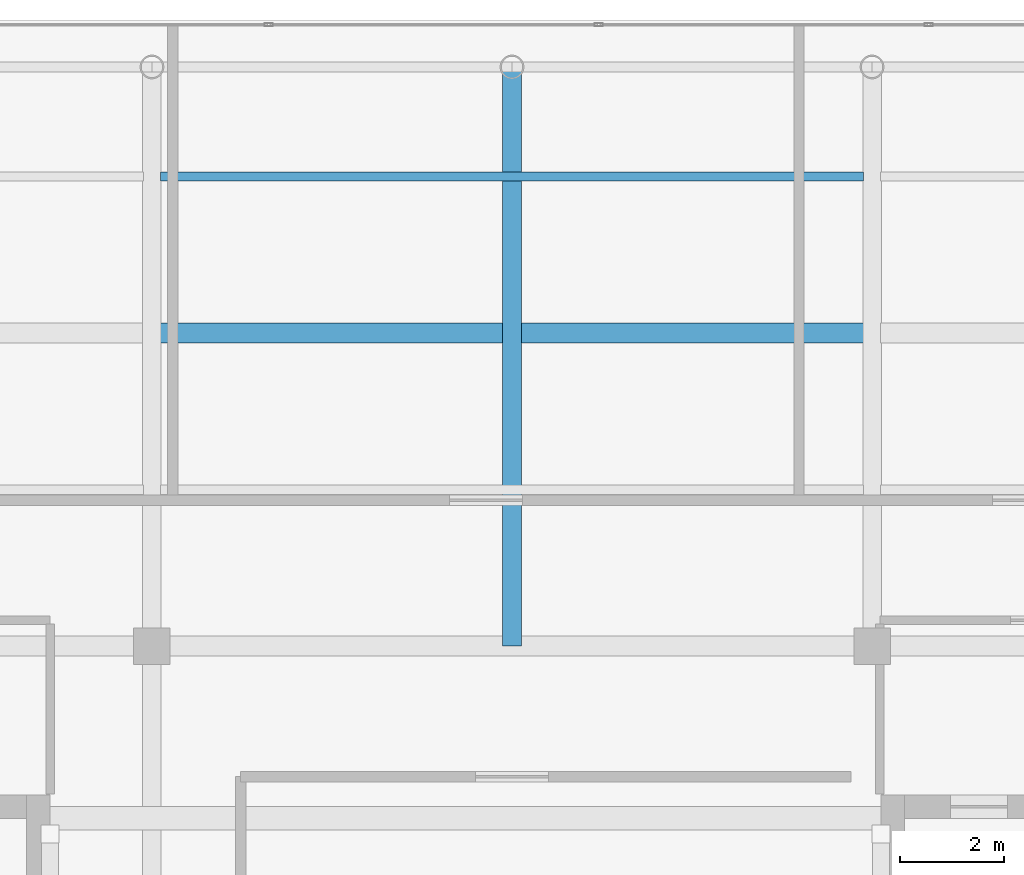
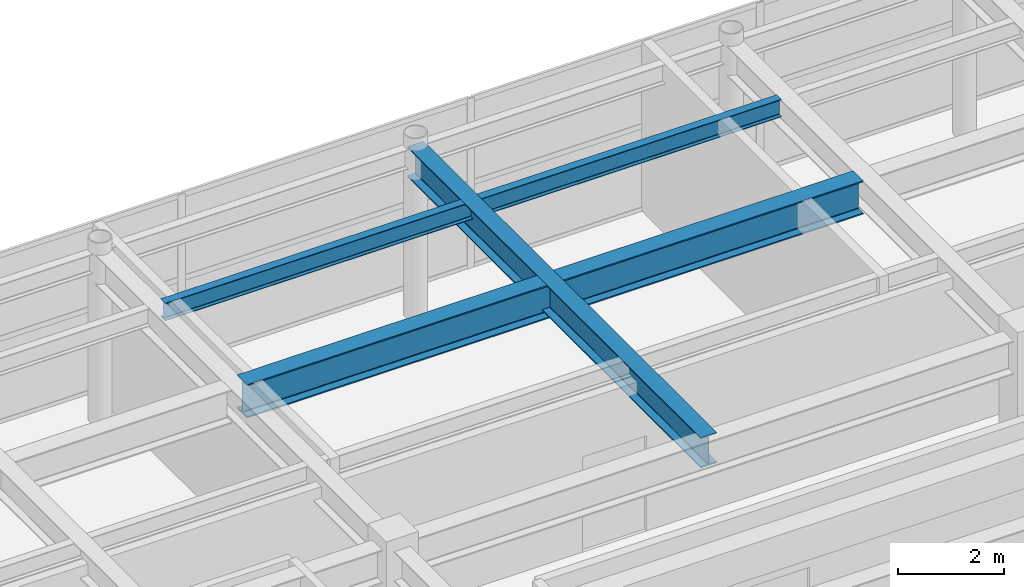
# One storey, part 24 of 33: 3 beams.
"""IFC4 building model written with IfcOpenShell, lengths in metres."""

from ifc_helpers import new_model, si_unit, direction, frame, origin, origin_2d, place, context, subcontext, project, spatial, i_section, extrude, source, transform, mapped, material, material_profile, profile_set, type_object, element, save


model = new_model("IFC4")

# Units and contexts
model_context = context("Model", 3, precision=1e-05, world=origin(), true_north=direction((0.0, 1.0)))
body_context = subcontext(model_context, "Body", "Model", "MODEL_VIEW")
ifc_project = project(units=[si_unit("LENGTHUNIT", "METRE"), si_unit("AREAUNIT", "SQUARE_METRE"), si_unit("VOLUMEUNIT", "CUBIC_METRE"), si_unit("PLANEANGLEUNIT", "RADIAN"), si_unit("MASSUNIT", "GRAM", prefix="KILO")], contexts=[model_context])

# Site, building, storey
site_placement = place(None, origin())
site = spatial("IfcSite", under=ifc_project, at=site_placement, CompositionType="ELEMENT")
building_placement = place(site_placement, origin())
building = spatial("IfcBuilding", under=site, at=building_placement, Name="Khoralis Quay Care Tower", CompositionType="ELEMENT")
storey_placement = place(building_placement, frame((0.0, 0.0, 302.10009765625)))
storey = spatial("IfcBuildingStorey", under=building, at=storey_placement, Name="L79", CompositionType="ELEMENT", Elevation=302.10009765625)

# Beams
ifc_material = material(Name="Steel S355", Category="steel")
ifc_material_profile_1 = material_profile(ifc_material, i_section(OverallWidth=0.381103515625, OverallDepth=0.77294921875, WebThickness=0.0166015625, FlangeThickness=0.027587890625, FilletRadius=0.02197265625, at=origin_2d()), Name="Steel S355")
ifc_profile_set_1 = profile_set([ifc_material_profile_1], Name="Steel S355")
beam_type_1 = type_object("IfcBeamType", Name="BM-W760X257", PredefinedType="BEAM", material=ifc_profile_set_1)
shared_shape_1 = source(origin(), body_context, "Body", "SweptSolid", [
    extrude(i_section(OverallWidth=0.381103515625, OverallDepth=0.77294921875, WebThickness=0.0166015625, FlangeThickness=0.027587890625, FilletRadius=0.02197265625, at=origin_2d()), origin(), (0.0, 0.0, 1.0), 13.46923828125),
])
beam_1_placement = place(storey_placement, frame((17.265380859375, 36.0, 3.533447265625), z_axis=(1.0, 0.0, 0.0), x_axis=(0.0, 1.0, 0.0)))
element("IfcBeam", 1, at=beam_1_placement, inside=storey, type_object=beam_type_1, Name="BM-TGCC-L79-360", PredefinedType="BEAM", context=body_context, shape_type="MappedRepresentation", body=[
    mapped(shared_shape_1, transform((0.0, 0.0, 0.0), scale=1.0)),
])
ifc_material_profile_2 = material_profile(ifc_material, i_section(OverallWidth=0.35498046875, OverallDepth=0.695068359375, WebThickness=0.015380859375, FlangeThickness=0.02490234375, FilletRadius=0.02001953125, at=origin_2d()), Name="Steel S355")
ifc_profile_set_2 = profile_set([ifc_material_profile_2], Name="Steel S355")
beam_type_2 = type_object("IfcBeamType", Name="BM-W690X217", PredefinedType="BEAM", material=ifc_profile_set_2)
shared_shape_2 = source(origin(), body_context, "Body", "SweptSolid", [
    extrude(i_section(OverallWidth=0.35498046875, OverallDepth=0.695068359375, WebThickness=0.015380859375, FlangeThickness=0.02490234375, FilletRadius=0.02001953125, at=origin_2d()), origin(), (0.0, 0.0, 1.0), 11.10009765625),
])
beam_2_placement = place(storey_placement, frame((24.0, 30.0, 3.572509765625), z_axis=(0.0, 1.0, 0.0), x_axis=(-1.0, 0.0, 0.0)))
element("IfcBeam", 2, at=beam_2_placement, inside=storey, type_object=beam_type_2, Name="BM-TGYN-L79-240", PredefinedType="BEAM", context=body_context, shape_type="MappedRepresentation", body=[
    mapped(shared_shape_2, transform((0.0, 0.0, 0.0), scale=1.0)),
])
ifc_material_profile_3 = material_profile(ifc_material, i_section(OverallWidth=0.177978515625, OverallDepth=0.406982421875, WebThickness=0.0078125, FlangeThickness=0.0126953125, FilletRadius=0.012939453125, at=origin_2d()), Name="Steel S355")
ifc_profile_set_3 = profile_set([ifc_material_profile_3], Name="Steel S355")
beam_type_3 = type_object("IfcBeamType", Name="BM-W410X60", PredefinedType="JOIST", material=ifc_profile_set_3)
shared_shape_3 = source(origin(), body_context, "Body", "SweptSolid", [
    extrude(i_section(OverallWidth=0.177978515625, OverallDepth=0.406982421875, WebThickness=0.0078125, FlangeThickness=0.0126953125, FilletRadius=0.012939453125, at=origin_2d()), origin(), (0.0, 0.0, 1.0), 13.46923828125),
])
beam_3_placement = place(storey_placement, frame((17.265380859375, 39.0, 3.71630859375), z_axis=(1.0, 0.0, 0.0), x_axis=(0.0, 1.0, 0.0)))
element("IfcBeam", 3, at=beam_3_placement, inside=storey, type_object=beam_type_3, Name="BM-TJS-L79-29", PredefinedType="JOIST", context=body_context, shape_type="MappedRepresentation", body=[
    mapped(shared_shape_3, transform((0.0, 0.0, 0.0), scale=1.0)),
])

save(model, "model.ifc")
